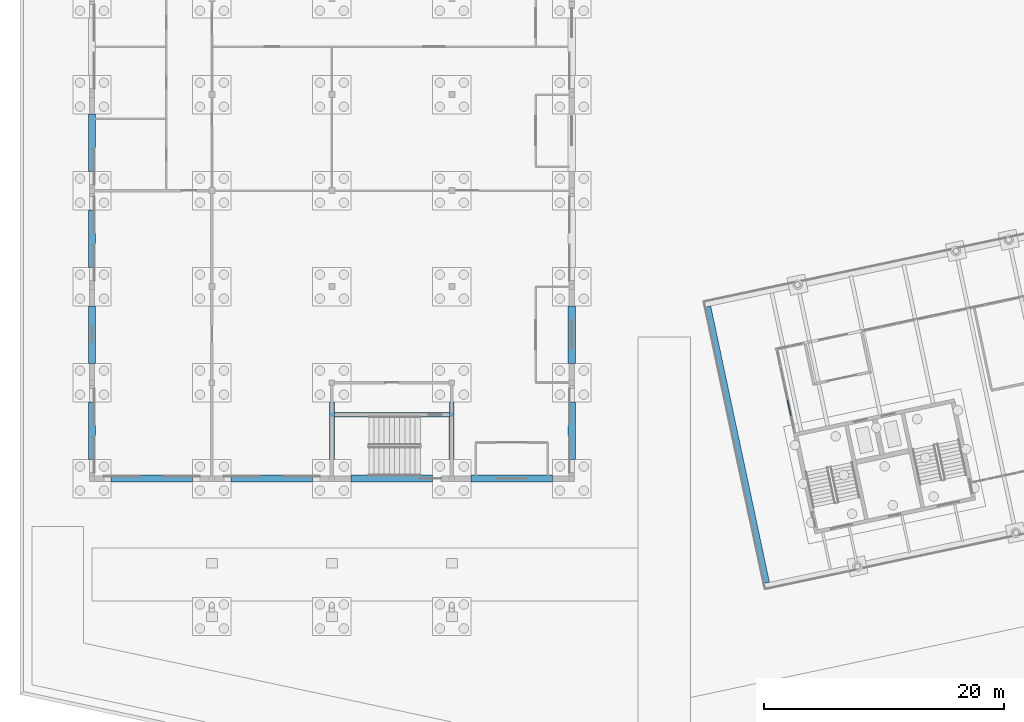
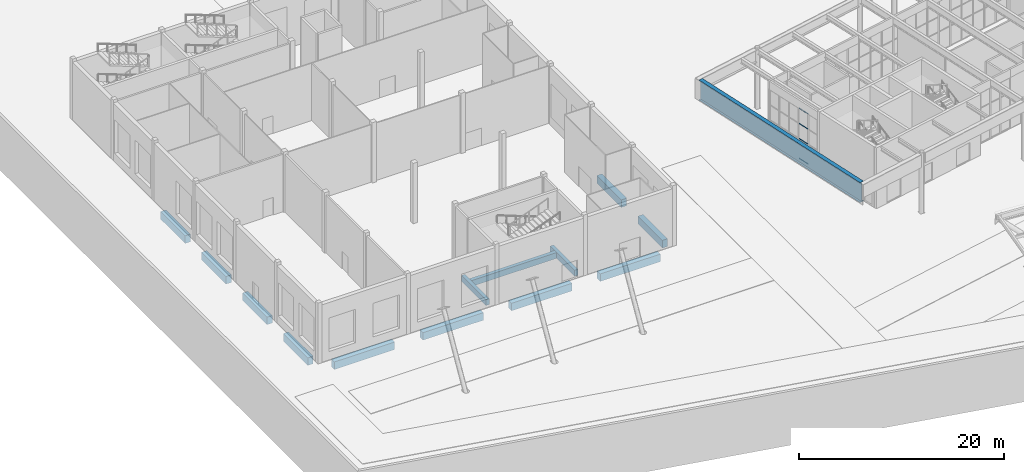
# One storey, part 48 of 239: 14 beams, 4 members, 1 element without a shape of its own.
"""IFC4 building model written with IfcOpenShell, lengths in metres."""

from ifc_helpers import new_model, si_unit, direction, frame, origin, origin_2d, place, context, subcontext, project, spatial, rectangle, hollow_rectangle, i_section, extrude, material, material_profile, profile_set, type_object, element, aggregate, save


model = new_model("IFC4")

# Units and contexts
model_context = context("Model", 3, precision=1e-05, world=origin(), true_north=direction((0.0, 1.0)))
body_context = subcontext(model_context, "Body", "Model", "MODEL_VIEW")
ifc_project = project(units=[si_unit("LENGTHUNIT", "METRE"), si_unit("AREAUNIT", "SQUARE_METRE"), si_unit("VOLUMEUNIT", "CUBIC_METRE"), si_unit("PLANEANGLEUNIT", "RADIAN"), si_unit("MASSUNIT", "GRAM", prefix="KILO")], contexts=[model_context])

# Site, building, storey
site_placement = place(None, origin())
site = spatial("IfcSite", under=ifc_project, at=site_placement, CompositionType="ELEMENT")
building_placement = place(site_placement, origin())
building = spatial("IfcBuilding", under=site, at=building_placement, Name="Okhra Congress Centre", CompositionType="ELEMENT")
storey_placement = place(building_placement, origin())
storey = spatial("IfcBuildingStorey", under=building, at=storey_placement, Name="L00", CompositionType="ELEMENT", Elevation=0.0)

# Curtain wall, members
ifc_material_1 = material(Name="Aluminium curtain wall, triple glazing", Category="aluminium")
curtain_wall_type = type_object("IfcCurtainWallType", Name="Curtain wall 1500 module", PredefinedType="NOTDEFINED", material=ifc_material_1)
curtain_wall_placement = place(storey_placement, origin())
curtain_wall = element("IfcCurtainWall", 1, at=curtain_wall_placement, inside=storey, type_object=curtain_wall_type, Name="Ground curtain wall W12", PredefinedType="NOTDEFINED")
ifc_material_2 = material(Name="Aluminium alloy EN AW-6063 T66", Category="aluminium")
ifc_material_profile_1 = material_profile(ifc_material_2, hollow_rectangle(XDim=0.06005859375, YDim=0.10009765625, WallThickness=0.00390625, at=origin_2d()), Name="RHS 60x100x4")
ifc_profile_set_1 = profile_set([ifc_material_profile_1], Name="Aluminium alloy EN AW-6063 T66")
member_type = type_object("IfcMemberType", Name="Curtain wall transom 60x100", PredefinedType="USERDEFINED", material=ifc_profile_set_1)
member_1_placement = place(storey_placement, frame((64.26513671875, 41.223876953125, 0.030029296875), z_axis=(-0.207822203618, 0.978166617547, 0.0), x_axis=(-0.978166617547, -0.207822203618, 0.0)))
member_1 = element("IfcMember", 2, at=member_1_placement, type_object=member_type, Name="CW7 transom 2.1", ObjectType="TRANSOM", PredefinedType="USERDEFINED", context=body_context, shape_type="SweptSolid", body=[
    extrude(hollow_rectangle(XDim=0.06005859375, YDim=0.10009765625, WallThickness=0.00390625, at=origin_2d()), origin(), (0.0, 0.0, 1.0), 1.35791015625),
])
member_2_placement = place(storey_placement, frame((64.26513671875, 41.223876953125, 2.39990234375), z_axis=(-0.207822203618, 0.978166617547, 0.0), x_axis=(-0.978166617547, -0.207822203618, 0.0)))
member_2 = element("IfcMember", 3, at=member_2_placement, type_object=member_type, Name="CW7 transom 2.2", ObjectType="TRANSOM", PredefinedType="USERDEFINED", context=body_context, shape_type="SweptSolid", body=[
    extrude(hollow_rectangle(XDim=0.06005859375, YDim=0.10009765625, WallThickness=0.00390625, at=origin_2d()), origin(), (0.0, 0.0, 1.0), 1.35791015625),
])
member_3_placement = place(storey_placement, frame((64.26513671875, 41.223876953125, 4.199951171875), z_axis=(-0.207822203618, 0.978166617547, 0.0), x_axis=(-0.978166617547, -0.207822203618, 0.0)))
member_3 = element("IfcMember", 4, at=member_3_placement, type_object=member_type, Name="CW7 transom 2.3", ObjectType="TRANSOM", PredefinedType="USERDEFINED", context=body_context, shape_type="SweptSolid", body=[
    extrude(hollow_rectangle(XDim=0.06005859375, YDim=0.10009765625, WallThickness=0.00390625, at=origin_2d()), origin(), (0.0, 0.0, 1.0), 1.35791015625),
])
member_4_placement = place(storey_placement, frame((64.26513671875, 41.223876953125, 6.02001953125), z_axis=(-0.207822203618, 0.978166617547, 0.0), x_axis=(-0.978166617547, -0.207822203618, 0.0)))
member_4 = element("IfcMember", 5, at=member_4_placement, type_object=member_type, Name="CW7 transom 2.4", ObjectType="TRANSOM", PredefinedType="USERDEFINED", context=body_context, shape_type="SweptSolid", body=[
    extrude(hollow_rectangle(XDim=0.06005859375, YDim=0.10009765625, WallThickness=0.00390625, at=origin_2d()), origin(), (0.0, 0.0, 1.0), 1.35791015625),
])
aggregate(curtain_wall, [member_1, member_2, member_3, member_4])

# Beams
ifc_material_3 = material(Name="Concrete C30/37", Category="concrete")
ifc_material_profile_2 = material_profile(ifc_material_3, rectangle(XDim=0.39990234375, YDim=0.699951171875, at=origin_2d()), Name="RC 400x700")
ifc_profile_set_2 = profile_set([ifc_material_profile_2], Name="Concrete C30/37")
beam_type_1 = type_object("IfcBeamType", Name="RC ground beam 400x700 C30/37", PredefinedType="BEAM", material=ifc_profile_set_2)
beam_1_placement = place(storey_placement, frame((26.199951171875, 41.324951171875, -0.85009765625), z_axis=(1.0, 0.0, 0.0), x_axis=(0.0, 1.0, 0.0)))
element("IfcBeam", 6, at=beam_1_placement, inside=storey, type_object=beam_type_1, Name="RS.BEAM.L00.27", PredefinedType="BEAM", context=body_context, shape_type="SweptSolid", body=[
    extrude(rectangle(XDim=0.39990234375, YDim=0.699951171875, at=origin_2d()), origin(), (0.0, 0.0, 1.0), 9.60009765625),
])
for number, where, z_axis, x_axis, name in (
    (7, (26.0, 37.60009765625, -0.85009765625), (0.0, 1.0, 0.0), (-1.0, 0.0, 0.0), "RS.BEAM.L00.28"),
    (8, (36.0, 37.60009765625, -0.85009765625), (0.0, 1.0, 0.0), (-1.0, 0.0, 0.0), "RS.BEAM.L00.29"),
):
    element("IfcBeam", number, at=place(storey_placement, frame(where, z_axis=z_axis, x_axis=x_axis)), inside=storey, type_object=beam_type_1, Name=name, PredefinedType="BEAM", context=body_context, shape_type="SweptSolid", body=[
        extrude(rectangle(XDim=0.39990234375, YDim=0.699951171875, at=origin_2d()), origin(), (0.0, 0.0, 1.0), 4.7998046875),
    ])
ifc_material_profile_3 = material_profile(ifc_material_3, rectangle(XDim=0.60009765625, YDim=0.89990234375, at=origin_2d()), Name="RC 600x900")
ifc_profile_set_3 = profile_set([ifc_material_profile_3], Name="Concrete C30/37")
beam_type_2 = type_object("IfcBeamType", Name="RC ground beam 600x900 C30/37", PredefinedType="BEAM", material=ifc_profile_set_3)
for number, where, z_axis, x_axis, name in (
    (9, (7.60009765625, 36.0, -0.85009765625), (1.0, 0.0, 0.0), (0.0, 1.0, 0.0), "RS.BEAM.L00.1"),
    (10, (17.60009765625, 36.0, -0.85009765625), (1.0, 0.0, 0.0), (0.0, 1.0, 0.0), "RS.BEAM.L00.2"),
    (11, (27.60009765625, 36.0, -0.85009765625), (1.0, 0.0, 0.0), (0.0, 1.0, 0.0), "RS.BEAM.L00.3"),
    (12, (37.60009765625, 36.0, -0.85009765625), (1.0, 0.0, 0.0), (0.0, 1.0, 0.0), "RS.BEAM.L00.4"),
):
    element("IfcBeam", number, at=place(storey_placement, frame(where, z_axis=z_axis, x_axis=x_axis)), inside=storey, type_object=beam_type_2, Name=name, PredefinedType="BEAM", context=body_context, shape_type="SweptSolid", body=[
        extrude(rectangle(XDim=0.60009765625, YDim=0.89990234375, at=origin_2d()), origin(), (0.0, 0.0, 1.0), 6.7998046875),
    ])
for number, where, z_axis, x_axis, name in (
    (13, (6.0, 37.60009765625, -0.85009765625), (0.0, 1.0, 0.0), (-1.0, 0.0, 0.0), "RS.BEAM.L00.9"),
    (14, (6.0, 45.60009765625, -0.85009765625), (0.0, 1.0, 0.0), (-1.0, 0.0, 0.0), "RS.BEAM.L00.10"),
    (15, (6.0, 53.60009765625, -0.85009765625), (0.0, 1.0, 0.0), (-1.0, 0.0, 0.0), "RS.BEAM.L00.11"),
    (16, (6.0, 61.60009765625, -0.85009765625), (0.0, 1.0, 0.0), (-1.0, 0.0, 0.0), "RS.BEAM.L00.12"),
    (17, (46.0, 37.60009765625, -0.85009765625), (0.0, 1.0, 0.0), (-1.0, 0.0, 0.0), "RS.BEAM.L00.15"),
    (18, (46.0, 45.60009765625, -0.85009765625), (0.0, 1.0, 0.0), (-1.0, 0.0, 0.0), "RS.BEAM.L00.16"),
):
    element("IfcBeam", number, at=place(storey_placement, frame(where, z_axis=z_axis, x_axis=x_axis)), inside=storey, type_object=beam_type_2, Name=name, PredefinedType="BEAM", context=body_context, shape_type="SweptSolid", body=[
        extrude(rectangle(XDim=0.60009765625, YDim=0.89990234375, at=origin_2d()), origin(), (0.0, 0.0, 1.0), 4.7998046875),
    ])
ifc_material_4 = material(Name="Steel S355J2", Category="steel")
ifc_material_profile_4 = material_profile(ifc_material_4, i_section(OverallWidth=0.449951171875, OverallDepth=2.39990234375, WebThickness=0.030029296875, FlangeThickness=0.06005859375, at=origin_2d()), Name="Plate girder 2400x450")
ifc_profile_set_4 = profile_set([ifc_material_profile_4], Name="Steel S355J2")
beam_type_3 = type_object("IfcBeamType", Name="Transfer plate girder 2400x450", PredefinedType="BEAM", material=ifc_profile_set_4)
beam_2_placement = place(storey_placement, frame((62.26025390625, 27.3046875, 5.85009765625), z_axis=(-0.207908226555, 0.978148337079, 0.0), x_axis=(-0.978148337079, -0.207908226555, 0.0)))
element("IfcBeam", 19, at=beam_2_placement, inside=storey, type_object=beam_type_3, Name="End transfer girder W", PredefinedType="BEAM", context=body_context, shape_type="SweptSolid", body=[
    extrude(i_section(OverallWidth=0.449951171875, OverallDepth=2.39990234375, WebThickness=0.030029296875, FlangeThickness=0.06005859375, at=origin_2d()), origin(), (0.0, 0.0, 1.0), 23.550048828125),
])

save(model, "model.ifc")
